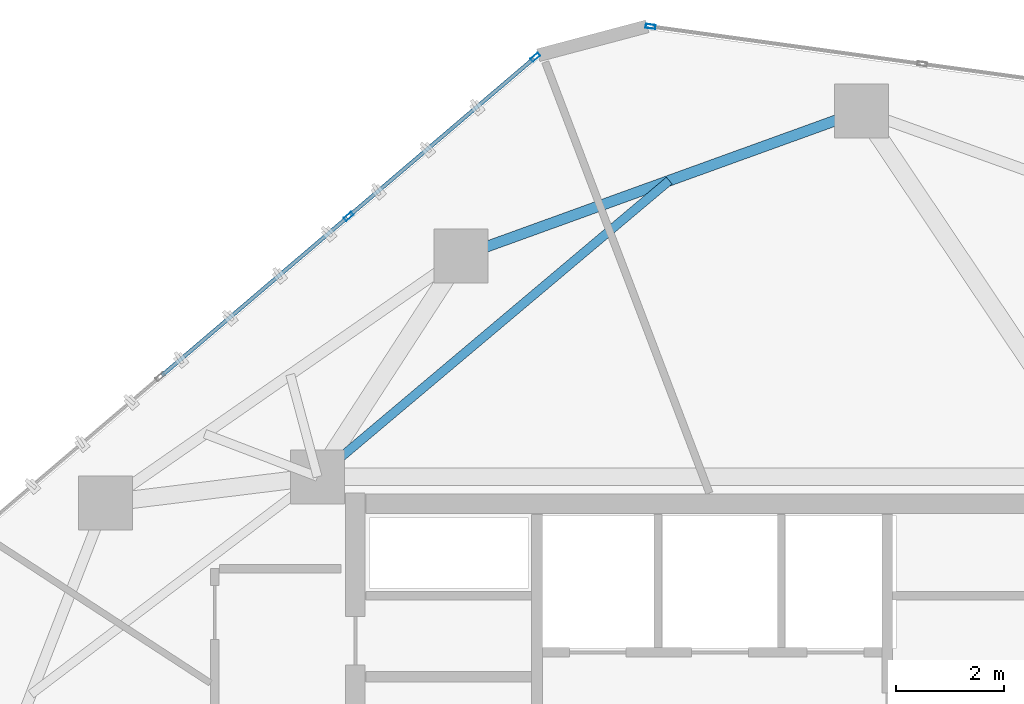
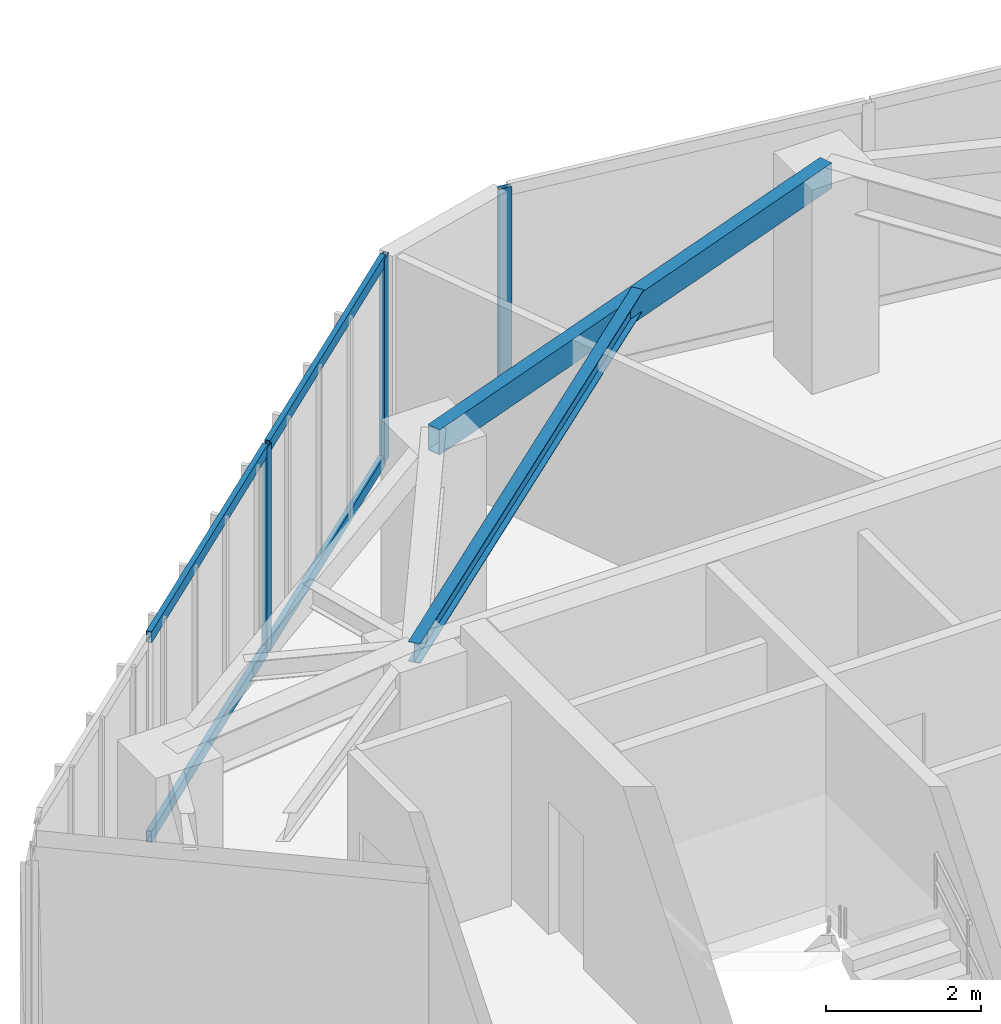
# One storey, part 13 of 21: 7 members, 2 beams, 2 elements without a shape of their own.
"""IFC4 building model written with IfcOpenShell, lengths in metres."""

from ifc_helpers import new_model, si_unit, direction, frame, origin, origin_2d, place, context, subcontext, project, spatial, hollow_rectangle, i_section, extrude, source, transform, mapped, material, layer, layer_set, material_profile, profile_set, type_object, type_shapes, element, aggregate, save


model = new_model("IFC4")

# Units and contexts
model_context = context("Model", 3, precision=1e-05, world=origin(), true_north=direction((0.0, 1.0)))
body_context = subcontext(model_context, "Body", "Model", "MODEL_VIEW")
ifc_project = project(units=[si_unit("LENGTHUNIT", "METRE"), si_unit("AREAUNIT", "SQUARE_METRE"), si_unit("VOLUMEUNIT", "CUBIC_METRE"), si_unit("PLANEANGLEUNIT", "RADIAN"), si_unit("MASSUNIT", "GRAM", prefix="KILO")], contexts=[model_context])

# Site, building, storey
site_placement = place(None, origin())
site = spatial("IfcSite", under=ifc_project, at=site_placement, CompositionType="ELEMENT")
building_placement = place(site_placement, origin())
building = spatial("IfcBuilding", under=site, at=building_placement, Name="Talar Marvaseh", CompositionType="ELEMENT")
storey_placement = place(building_placement, frame((0.0, 0.0, 225.699951171875)))
storey = spatial("IfcBuildingStorey", under=building, at=storey_placement, Name="L59", CompositionType="ELEMENT", Elevation=225.699951171875)

# Beams
ifc_material_1 = material(Name="Steel S355", Category="steel")
ifc_material_profile_1 = material_profile(ifc_material_1, hollow_rectangle(XDim=0.199951171875, YDim=0.39990234375, WallThickness=0.013916015625, at=origin_2d()), Name="RHS400x200x14")
ifc_profile_set_1 = profile_set([ifc_material_profile_1], Name="Steel S355")
beam_type_1 = type_object("IfcBeamType", Name="Zone 3 Perimeter Spandrel Beam RHS400x200x14", PredefinedType="SPANDREL", material=ifc_profile_set_1)
beam_1_placement = place(storey_placement, frame((21.35205078125, 40.986083984375, 3.030029296875), z_axis=(0.940368006783, 0.340158803824, 0.0), x_axis=(-0.340158803824, 0.940368006783, 0.0)))
element("IfcBeam", 1, at=beam_1_placement, inside=storey, type_object=beam_type_1, Name="L59 Zone 3 Perimeter Spandrel Beam RHS400x200x14", PredefinedType="SPANDREL", context=body_context, shape_type="SweptSolid", body=[
    extrude(hollow_rectangle(XDim=0.199951171875, YDim=0.39990234375, WallThickness=0.013916015625, at=origin_2d()), origin(), (0.0, 0.0, 1.0), 7.88427734375),
])
ifc_material_profile_2 = material_profile(ifc_material_1, i_section(OverallWidth=0.166015625, OverallDepth=0.31298828125, WebThickness=0.006591796875, FlangeThickness=0.01123046875, at=origin_2d()), Name="W310x45")
ifc_profile_set_2 = profile_set([ifc_material_profile_2], Name="Steel S355")
beam_type_2 = type_object("IfcBeamType", Name="Zone 3 Secondary Floor Joist W310x45", PredefinedType="JOIST", material=ifc_profile_set_2)
beam_2_placement = place(storey_placement, frame((25.207275390625, 42.380615234375, 3.073486328125), z_axis=(-0.76486133839, -0.644194949558, 0.0), x_axis=(0.644194949558, -0.76486133839, 0.0)))
element("IfcBeam", 2, at=beam_2_placement, inside=storey, type_object=beam_type_2, Name="L59 Zone 3 Secondary Floor Joist W310x45", PredefinedType="JOIST", context=body_context, shape_type="SweptSolid", body=[
    extrude(i_section(OverallWidth=0.166015625, OverallDepth=0.31298828125, WebThickness=0.006591796875, FlangeThickness=0.01123046875, at=origin_2d()), origin(), (0.0, 0.0, 1.0), 8.5078125),
])

# Curtain wall, members
ifc_material_2 = material(Name="Architectural Aluminium", Category="aluminium")
ifc_layer = layer(ifc_material_2, 0.18994140625)
ifc_layer_set = layer_set([ifc_layer], Name="Architectural Aluminium")
curtain_wall_type = type_object("IfcCurtainWallType", Name="Unitised Solar Atelier Curtain Wall Z3", PredefinedType="NOTDEFINED", material=ifc_layer_set)
curtain_wall_1_placement = place(storey_placement, origin())
curtain_wall_1 = element("IfcCurtainWall", 3, at=curtain_wall_1_placement, inside=storey, type_object=curtain_wall_type, Name="L59 Unitised Solar Atelier Curtain Wall Z3", PredefinedType="NOTDEFINED")
ifc_material_profile_3 = material_profile(ifc_material_2, hollow_rectangle(XDim=0.074951171875, YDim=0.179931640625, WallThickness=0.0048828125, at=origin_2d()), Name="RHS180x75x5")
ifc_profile_set_3 = profile_set([ifc_material_profile_3], Name="Architectural Aluminium")
member_type_1 = type_object("IfcMemberType", Name="Unitised Curtain Wall Standard Mullion RHS180x75x5", PredefinedType="MULLION", material=ifc_profile_set_3)
shared_shape_1 = source(origin(), body_context, "Body", "SweptSolid", [
    extrude(hollow_rectangle(XDim=0.074951171875, YDim=0.179931640625, WallThickness=0.0048828125, at=origin_2d()), origin(), (0.0, 0.0, 1.0), 3.22998046875),
])
type_shapes(member_type_1, [shared_shape_1])
member_1_placement = place(storey_placement, frame((19.27490234375, 41.719970703125, 0.0), z_axis=(0.0, 0.0, 1.0), x_axis=(-0.648545540162, 0.761175855066, 0.0)))
member_1 = element("IfcMember", 4, at=member_1_placement, type_object=member_type_1, Name="CW-Z3 mullion 3", PredefinedType="MULLION", context=body_context, shape_type="MappedRepresentation", body=[
    mapped(shared_shape_1, transform((0.0, 0.0, 0.0), x_axis=(1.0, 0.0, 0.0), y_axis=(0.0, 1.0, 0.0), z_axis=(0.0, 0.0, 1.0), scale=1.0)),
])
member_2_placement = place(storey_placement, frame((22.73046875, 44.6640625, 0.0), z_axis=(0.0, 0.0, 1.0), x_axis=(-0.648545540162, 0.761175855066, 0.0)))
member_2 = element("IfcMember", 5, at=member_2_placement, type_object=member_type_1, Name="CW-Z3 mullion 4", PredefinedType="MULLION", context=body_context, shape_type="MappedRepresentation", body=[
    mapped(shared_shape_1, transform((0.0, 0.0, 0.0), x_axis=(1.0, 0.0, 0.0), y_axis=(0.0, 1.0, 0.0), z_axis=(0.0, 0.0, 1.0), scale=1.0)),
])

# Curtain wall, member
curtain_wall_2_placement = place(storey_placement, origin())
curtain_wall_2 = element("IfcCurtainWall", 6, at=curtain_wall_2_placement, inside=storey, type_object=curtain_wall_type, Name="L59 Unitised Solar Atelier Curtain Wall Z3", PredefinedType="NOTDEFINED")
member_3_placement = place(storey_placement, frame((24.86181640625, 45.233154296875, 0.0), z_axis=(0.0, 0.0, 1.0), x_axis=(0.136514738392, 0.990638039953, 0.0)))
member_3 = element("IfcMember", 7, at=member_3_placement, type_object=member_type_1, Name="CW-Z3 mullion 1", PredefinedType="MULLION", context=body_context, shape_type="MappedRepresentation", body=[
    mapped(shared_shape_1, transform((0.0, 0.0, 0.0), x_axis=(1.0, 0.0, 0.0), y_axis=(0.0, 1.0, 0.0), z_axis=(0.0, 0.0, 1.0), scale=1.0)),
])
aggregate(curtain_wall_2, [member_3])

# Member
ifc_material_profile_4 = material_profile(ifc_material_2, hollow_rectangle(XDim=0.074951171875, YDim=0.179931640625, WallThickness=0.0048828125, at=origin_2d()), Name="RHS180x75x5")
ifc_profile_set_4 = profile_set([ifc_material_profile_4], Name="Architectural Aluminium")
member_type_2 = type_object("IfcMemberType", Name="Unitised Curtain Wall Transom RHS180x75x5", PredefinedType="USERDEFINED", material=ifc_profile_set_4)
shared_shape_2 = source(origin(), body_context, "Body", "SweptSolid", [
    extrude(hollow_rectangle(XDim=0.074951171875, YDim=0.179931640625, WallThickness=0.0048828125, at=origin_2d()), origin(), (0.0, 0.0, 1.0), 4.464599609375),
])
member_4_placement = place(storey_placement, frame((19.303466796875, 41.744384765625, 0.03759765625), z_axis=(0.761183241433, 0.648536870934, 0.0), x_axis=(-0.648536870934, 0.761183241433, 0.0)))
member_4 = element("IfcMember", 8, at=member_4_placement, type_object=member_type_2, Name="CW-Z3 transom 3.1", ObjectType="TRANSOM", PredefinedType="USERDEFINED", context=body_context, shape_type="MappedRepresentation", body=[
    mapped(shared_shape_2, transform((0.0, 0.0, 0.0), x_axis=(1.0, 0.0, 0.0), y_axis=(0.0, 1.0, 0.0), z_axis=(0.0, 0.0, 1.0), scale=1.0)),
])

member_5_placement = place(storey_placement, frame((19.303466796875, 41.744384765625, 3.192626953125), z_axis=(0.761183241433, 0.648536870934, 0.0), x_axis=(-0.648536870934, 0.761183241433, 0.0)))
member_5 = element("IfcMember", 9, at=member_5_placement, type_object=member_type_2, Name="CW-Z3 transom 3.2", ObjectType="TRANSOM", PredefinedType="USERDEFINED", context=body_context, shape_type="MappedRepresentation", body=[
    mapped(shared_shape_2, transform((0.0, 0.0, 0.0), x_axis=(1.0, 0.0, 0.0), y_axis=(0.0, 1.0, 0.0), z_axis=(0.0, 0.0, 1.0), scale=1.0)),
])

shared_shape_3 = source(origin(), body_context, "Body", "SweptSolid", [
    extrude(hollow_rectangle(XDim=0.074951171875, YDim=0.179931640625, WallThickness=0.0048828125, at=origin_2d()), origin(), (0.0, 0.0, 1.0), 4.502197265625),
])
type_shapes(member_type_2, [shared_shape_2, shared_shape_3])
member_6_placement = place(storey_placement, frame((15.8193359375, 38.775634765625, 0.03759765625), z_axis=(0.761174818329, 0.648546756943, 0.0), x_axis=(-0.648546756943, 0.761174818329, 0.0)))
member_6 = element("IfcMember", 10, at=member_6_placement, type_object=member_type_2, Name="CW-Z3 transom 2.1", ObjectType="TRANSOM", PredefinedType="USERDEFINED", context=body_context, shape_type="MappedRepresentation", body=[
    mapped(shared_shape_3, transform((0.0, 0.0, 0.0), x_axis=(1.0, 0.0, 0.0), y_axis=(0.0, 1.0, 0.0), z_axis=(0.0, 0.0, 1.0), scale=1.0)),
])

member_7_placement = place(storey_placement, frame((15.8193359375, 38.775634765625, 3.192626953125), z_axis=(0.761174818329, 0.648546756943, 0.0), x_axis=(-0.648546756943, 0.761174818329, 0.0)))
member_7 = element("IfcMember", 11, at=member_7_placement, type_object=member_type_2, Name="CW-Z3 transom 2.2", ObjectType="TRANSOM", PredefinedType="USERDEFINED", context=body_context, shape_type="MappedRepresentation", body=[
    mapped(shared_shape_3, transform((0.0, 0.0, 0.0), x_axis=(1.0, 0.0, 0.0), y_axis=(0.0, 1.0, 0.0), z_axis=(0.0, 0.0, 1.0), scale=1.0)),
])

aggregate(curtain_wall_1, [member_1, member_2, member_6, member_7, member_4, member_5])

save(model, "model.ifc")
